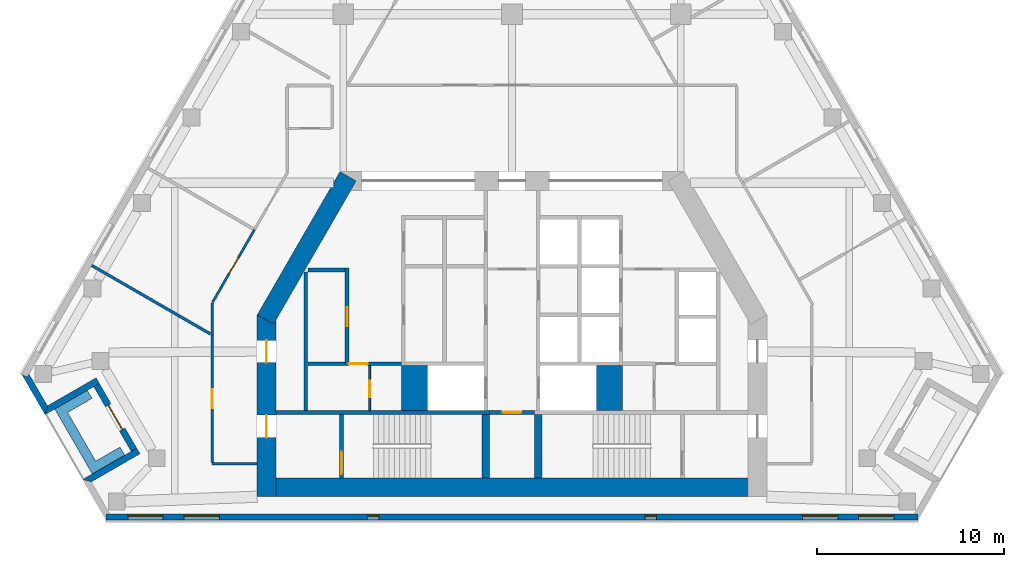
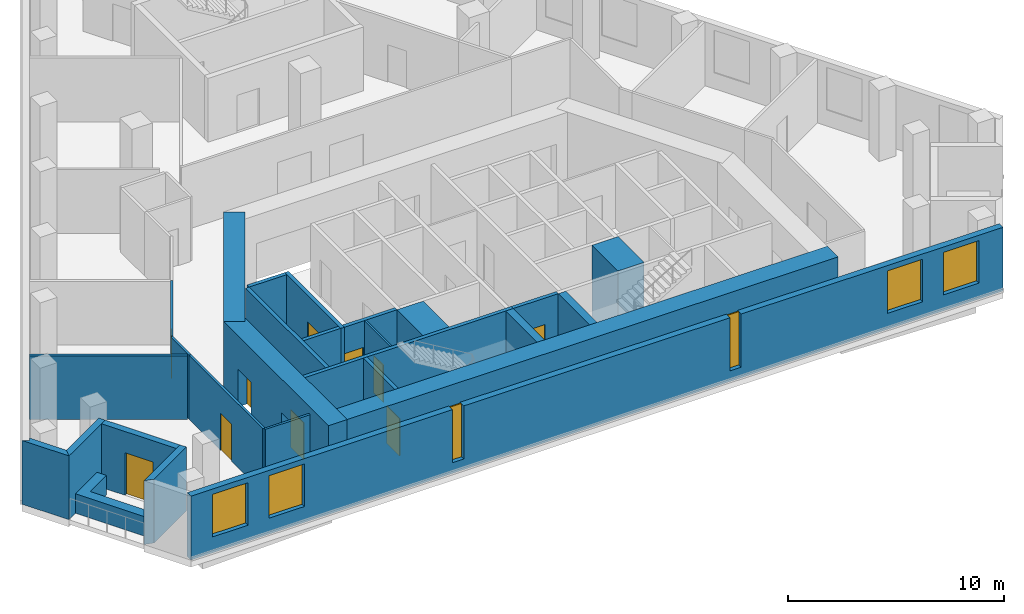
# One storey, part 2 of 7: 27 walls, 10 doors, 6 windows, 16 openings.
"""IFC4 building model written with IfcOpenShell, lengths in metres."""

from ifc_helpers import new_model, si_unit, direction, frame, frame_2d, origin, place, context, subcontext, project, spatial, polyline, rectangle, outline, extrude, material, layer, layer_set, type_object, element, fill, save


model = new_model("IFC4")

# Units and contexts
model_context = context("Model", 3, precision=1e-05, world=origin(), true_north=direction((0.0, 1.0)))
body_context = subcontext(model_context, "Body", "Model", "MODEL_VIEW")
ifc_project = project(units=[si_unit("LENGTHUNIT", "METRE"), si_unit("AREAUNIT", "SQUARE_METRE"), si_unit("VOLUMEUNIT", "CUBIC_METRE"), si_unit("PLANEANGLEUNIT", "RADIAN"), si_unit("MASSUNIT", "GRAM", prefix="KILO")], contexts=[model_context])

# Site, building, storey
site_placement = place(None, origin())
site = spatial("IfcSite", under=ifc_project, at=site_placement, CompositionType="ELEMENT")
building_placement = place(site_placement, origin())
building = spatial("IfcBuilding", under=site, at=building_placement, Name="Fogline Exchange Tower", CompositionType="ELEMENT")
storey_placement = place(building_placement, frame((0.0, 0.0, 251.5)))
storey = spatial("IfcBuildingStorey", under=building, at=storey_placement, Name="L57", CompositionType="ELEMENT", Elevation=251.5)

# Wall, opening, door
ifc_material_1 = material(Name="Blockwork partition", Category="masonry")
ifc_layer_1 = layer(ifc_material_1, 0.10009765625)
ifc_layer_set_1 = layer_set([ifc_layer_1], Name="CW10")
wall_type_1 = type_object("IfcWallType", Name="CW10", PredefinedType="PARTITIONING", material=ifc_layer_set_1)
wall_1_placement = place(storey_placement, frame((-7.60009765625, 5.85009765625, 0.0), z_axis=(0.0, 0.0, 1.0), x_axis=(0.0, 1.0, 0.0)))
wall_1 = element("IfcWall", 1, at=wall_1_placement, inside=storey, type_object=wall_type_1, Name="WC partition", PredefinedType="PARTITIONING", context=body_context, shape_type="SweptSolid", body=[
    extrude(rectangle(XDim=2.39990234375, YDim=0.10009765625, at=frame_2d((1.199951171875, 0.0))), origin(), (0.0, 0.0, 1.0), 3.60009765625),
])
opening_1_placement = place(wall_1_placement, frame((0.699951171875, 0.0, 0.0)))
opening_1 = element("IfcOpeningElement", 2, at=opening_1_placement, cuts=wall_1, Name="Opening T18-C009", PredefinedType="OPENING", context=body_context, shape_type="SweptSolid", body=[
    extrude(rectangle(XDim=0.89990234375, YDim=2.10009765625, at=frame_2d((0.449951171875, 1.050048828125))), frame((0.0, 0.06005859375, 0.0), z_axis=(0.0, -1.0, 0.0), x_axis=(1.0, 0.0, 0.0)), (0.0, 0.0, 1.0), 0.1201171875),
])
ifc_material_2 = material(Name="Steel and timber fire door", Category="steel")
door_type_1 = type_object("IfcDoorType", Name="D-CS1", OperationType="SINGLE_SWING_RIGHT", PredefinedType="DOOR", material=ifc_material_2)
door_1_placement = place(opening_1_placement, frame((0.89990234375, 0.0, 0.0), z_axis=(0.0, 0.0, 1.0), x_axis=(-1.0, 0.0, 0.0)))
door_1 = element("IfcDoor", 3, at=door_1_placement, inside=storey, type_object=door_type_1, Name="Door to Cleaner's Store", OperationType="SINGLE_SWING_RIGHT", OverallHeight=2.10009765625, OverallWidth=0.89990234375, PredefinedType="DOOR", context=body_context, shape_type="SweptSolid", body=[
    extrude(rectangle(XDim=0.89990234375, YDim=2.10009765625, at=frame_2d((0.449951171875, 1.050048828125))), frame((0.0, 0.02490234375, 0.0), z_axis=(0.0, -1.0, 0.0), x_axis=(1.0, 0.0, 0.0)), (0.0, 0.0, 1.0), 0.050048828125),
])
fill(opening_1, door_1)

# Walls
ifc_material_3 = material(Name="Concrete C60", Category="concrete")
ifc_layer_2 = layer(ifc_material_3, 1.39990234375)
ifc_layer_set_2 = layer_set([ifc_layer_2], Name="CW140")
wall_type_2 = type_object("IfcWallType", Name="CW140", PredefinedType="SOLIDWALL", material=ifc_layer_set_2)
for number, where, z_axis, x_axis, name in (
    (4, (-5.199951171875, 5.85009765625, -0.39990234375), (0.0, 0.0, 1.0), (0.0, 1.0, 0.0), "Lift shaft block wall"),
    (5, (5.199951171875, 5.85009765625, -0.39990234375), (0.0, 0.0, 1.0), (0.0, 1.0, 0.0), "Lift shaft block wall"),
):
    element("IfcWall", number, at=place(storey_placement, frame(where, z_axis=z_axis, x_axis=x_axis)), inside=storey, type_object=wall_type_2, Name=name, PredefinedType="SOLIDWALL", context=body_context, shape_type="SweptSolid", body=[
        extrude(rectangle(XDim=2.39990234375, YDim=1.39990234375, at=frame_2d((1.199951171875, 0.0))), origin(), (0.0, 0.0, 1.0), 4.0),
    ])
ifc_material_4 = material(Name="Concrete C40", Category="concrete")
ifc_layer_3 = layer(ifc_material_4, 0.199951171875)
ifc_layer_set_3 = layer_set([ifc_layer_3], Name="CW20")
wall_type_3 = type_object("IfcWallType", Name="CW20", PredefinedType="SOLIDWALL", material=ifc_layer_set_3)
wall_2_placement = place(storey_placement, frame((-11.0, 5.85009765625, 0.0), z_axis=(0.0, 0.0, 1.0), x_axis=(0.0, 1.0, 0.0)))
element("IfcWall", 6, at=wall_2_placement, inside=storey, type_object=wall_type_3, Name="Service room wall", PredefinedType="SOLIDWALL", context=body_context, shape_type="SweptSolid", body=[
    extrude(rectangle(XDim=7.39990234375, YDim=0.199951171875, at=frame_2d((3.699951171875, 0.0))), origin(), (0.0, 0.0, 1.0), 3.60009765625),
])

# Wall, opening, door
wall_3_placement = place(storey_placement, frame((-8.699951171875, 8.35009765625, 0.0), z_axis=(0.0, 0.0, 1.0), x_axis=(1.0, 0.0, 0.0)))
wall_3 = element("IfcWall", 7, at=wall_3_placement, inside=storey, type_object=wall_type_3, Name="WC wall", PredefinedType="SOLIDWALL", context=body_context, shape_type="SweptSolid", body=[
    extrude(rectangle(XDim=2.800048828125, YDim=0.199951171875, at=frame_2d((1.39990234375, 0.0))), origin(), (0.0, 0.0, 1.0), 3.60009765625),
])
opening_2_placement = place(wall_3_placement, origin())
opening_2 = element("IfcOpeningElement", 8, at=opening_2_placement, cuts=wall_3, Name="Opening T18-C008", PredefinedType="OPENING", context=body_context, shape_type="SweptSolid", body=[
    extrude(rectangle(XDim=1.0, YDim=2.10009765625, at=frame_2d((0.5, 1.050048828125))), frame((0.0, 0.10986328125, 0.0), z_axis=(0.0, -1.0, 0.0), x_axis=(1.0, 0.0, 0.0)), (0.0, 0.0, 1.0), 0.219970703125),
])
door_type_2 = type_object("IfcDoorType", Name="D-WC1", OperationType="SINGLE_SWING_LEFT", PredefinedType="DOOR", material=ifc_material_2)
door_2_placement = place(opening_2_placement, frame((1.0, 0.0, 0.0), z_axis=(0.0, 0.0, 1.0), x_axis=(-1.0, 0.0, 0.0)))
door_2 = element("IfcDoor", 9, at=door_2_placement, inside=storey, type_object=door_type_2, Name="Door to Men's WC", OperationType="SINGLE_SWING_LEFT", OverallHeight=2.10009765625, OverallWidth=1.0, PredefinedType="DOOR", context=body_context, shape_type="SweptSolid", body=[
    extrude(rectangle(XDim=1.0, YDim=2.10009765625, at=frame_2d((0.5, 1.050048828125))), frame((0.0, 0.02490234375, 0.0), z_axis=(0.0, -1.0, 0.0), x_axis=(1.0, 0.0, 0.0)), (0.0, 0.0, 1.0), 0.050048828125),
])
fill(opening_2, door_2)

# Wall
ifc_layer_4 = layer(ifc_material_4, 0.199951171875)
ifc_layer_set_4 = layer_set([ifc_layer_4], Name="CW20R")
wall_type_4 = type_object("IfcWallType", Name="CW20R", PredefinedType="SOLIDWALL", material=ifc_layer_set_4)
wall_4_placement = place(storey_placement, frame((-12.60009765625, 5.75, -0.39990234375), z_axis=(0.0, 0.0, 1.0), x_axis=(1.0, 0.0, 0.0)))
element("IfcWall", 10, at=wall_4_placement, inside=storey, type_object=wall_type_4, Name="Stair enclosure wall", PredefinedType="SOLIDWALL", context=body_context, shape_type="SweptSolid", body=[
    extrude(rectangle(XDim=11.400146484375, YDim=0.199951171875, at=frame_2d((5.7001953125, 0.0))), origin(), (0.0, 0.0, 1.0), 4.0),
])

# Wall, opening, door
wall_5_placement = place(storey_placement, frame((-1.199951171875, 5.75, -0.39990234375), z_axis=(0.0, 0.0, 1.0), x_axis=(1.0, 0.0, 0.0)))
wall_5 = element("IfcWall", 11, at=wall_5_placement, inside=storey, type_object=wall_type_4, Name="Stair enclosure wall", PredefinedType="SOLIDWALL", context=body_context, shape_type="SweptSolid", body=[
    extrude(rectangle(XDim=2.39990234375, YDim=0.199951171875, at=frame_2d((1.199951171875, 0.0))), origin(), (0.0, 0.0, 1.0), 4.0),
])
opening_3_placement = place(wall_5_placement, frame((0.699951171875, 0.0, 0.39990234375)))
opening_3 = element("IfcOpeningElement", 12, at=opening_3_placement, cuts=wall_5, Name="Opening T18-C007", PredefinedType="OPENING", context=body_context, shape_type="SweptSolid", body=[
    extrude(rectangle(XDim=1.0, YDim=2.10009765625, at=frame_2d((0.5, 1.050048828125))), frame((0.0, 0.10986328125, 0.0), z_axis=(0.0, -1.0, 0.0), x_axis=(1.0, 0.0, 0.0)), (0.0, 0.0, 1.0), 0.219970703125),
])
door_type_3 = type_object("IfcDoorType", Name="D-RM1", OperationType="SINGLE_SWING_LEFT", PredefinedType="DOOR", material=ifc_material_2)
door_3_placement = place(opening_3_placement, frame((1.0, 0.0, 0.0), z_axis=(0.0, 0.0, 1.0), x_axis=(-1.0, 0.0, 0.0)))
door_3 = element("IfcDoor", 13, at=door_3_placement, inside=storey, type_object=door_type_3, Name="Door to Cable Store", OperationType="SINGLE_SWING_RIGHT", OverallHeight=2.10009765625, OverallWidth=1.0, PredefinedType="DOOR", context=body_context, shape_type="SweptSolid", body=[
    extrude(rectangle(XDim=1.0, YDim=2.10009765625, at=frame_2d((0.5, 1.050048828125))), frame((0.0, 0.02490234375, 0.0), z_axis=(0.0, -1.0, 0.0), x_axis=(1.0, 0.0, 0.0)), (0.0, 0.0, 1.0), 0.050048828125),
])
fill(opening_3, door_3)

wall_6_placement = place(storey_placement, frame((-9.10009765625, 2.25, -0.39990234375), z_axis=(0.0, 0.0, 1.0), x_axis=(0.0, 1.0, 0.0)))
wall_6 = element("IfcWall", 14, at=wall_6_placement, inside=storey, type_object=wall_type_4, Name="Stair enclosure wall", PredefinedType="SOLIDWALL", context=body_context, shape_type="SweptSolid", body=[
    extrude(rectangle(XDim=3.39990234375, YDim=0.199951171875, at=frame_2d((1.699951171875, 0.0))), origin(), (0.0, 0.0, 1.0), 4.0),
])
opening_4_placement = place(wall_6_placement, frame((0.199951171875, 0.0, 0.39990234375)))
opening_4 = element("IfcOpeningElement", 15, at=opening_4_placement, cuts=wall_6, Name="Opening T18-C011", PredefinedType="OPENING", context=body_context, shape_type="SweptSolid", body=[
    extrude(rectangle(XDim=1.199951171875, YDim=2.10009765625, at=frame_2d((0.60009765625, 1.050048828125))), frame((0.0, 0.10986328125, 0.0), z_axis=(0.0, -1.0, 0.0), x_axis=(1.0, 0.0, 0.0)), (0.0, 0.0, 1.0), 0.219970703125),
])
door_type_4 = type_object("IfcDoorType", Name="D-ST1", OperationType="SINGLE_SWING_LEFT", PredefinedType="DOOR", material=ifc_material_2)
door_4_placement = place(opening_4_placement, frame((1.199951171875, 0.0, 0.0), z_axis=(0.0, 0.0, 1.0), x_axis=(-1.0, 0.0, 0.0)))
door_4 = element("IfcDoor", 16, at=door_4_placement, inside=storey, type_object=door_type_4, Name="Stair door ST1", OperationType="SINGLE_SWING_RIGHT", OverallHeight=2.10009765625, OverallWidth=1.199951171875, PredefinedType="DOOR", context=body_context, shape_type="SweptSolid", body=[
    extrude(rectangle(XDim=1.199951171875, YDim=2.10009765625, at=frame_2d((0.60009765625, 1.050048828125))), frame((0.0, 0.02490234375, 0.0), z_axis=(0.0, -1.0, 0.0), x_axis=(1.0, 0.0, 0.0)), (0.0, 0.0, 1.0), 0.050048828125),
])
fill(opening_4, door_4)

ifc_layer_5 = layer(ifc_material_4, 0.199951171875)
ifc_layer_set_5 = layer_set([ifc_layer_5], Name="CW20S")
wall_type_5 = type_object("IfcWallType", Name="CW20S", PredefinedType="SOLIDWALL", material=ifc_layer_set_5)
wall_7_placement = place(storey_placement, frame((-8.800048828125, 8.25, -0.39990234375), z_axis=(0.0, 0.0, 1.0), x_axis=(0.0, 1.0, 0.0)))
wall_7 = element("IfcWall", 17, at=wall_7_placement, inside=storey, type_object=wall_type_5, Name="Lift shaft wall", PredefinedType="SOLIDWALL", context=body_context, shape_type="SweptSolid", body=[
    extrude(rectangle(XDim=5.199951171875, YDim=0.199951171875, at=frame_2d((2.60009765625, 0.0))), origin(), (0.0, 0.0, 1.0), 4.0),
])
opening_5_placement = place(wall_7_placement, frame((2.10009765625, 0.0, 0.39990234375)))
opening_5 = element("IfcOpeningElement", 18, at=opening_5_placement, cuts=wall_7, Name="Opening T18-C001", PredefinedType="OPENING", context=body_context, shape_type="SweptSolid", body=[
    extrude(rectangle(XDim=1.0, YDim=2.10009765625, at=frame_2d((0.5, 1.050048828125))), frame((0.0, 0.10986328125, 0.0), z_axis=(0.0, -1.0, 0.0), x_axis=(1.0, 0.0, 0.0)), (0.0, 0.0, 1.0), 0.219970703125),
])
door_5_placement = place(opening_5_placement, origin())
door_5 = element("IfcDoor", 19, at=door_5_placement, inside=storey, type_object=door_type_3, Name="Door to Storage Room", OperationType="SINGLE_SWING_RIGHT", OverallHeight=2.10009765625, OverallWidth=1.0, PredefinedType="DOOR", context=body_context, shape_type="SweptSolid", body=[
    extrude(rectangle(XDim=1.0, YDim=2.10009765625, at=frame_2d((0.5, 1.050048828125))), frame((0.0, 0.02490234375, 0.0), z_axis=(0.0, -1.0, 0.0), x_axis=(1.0, 0.0, 0.0)), (0.0, 0.0, 1.0), 0.050048828125),
])
fill(opening_5, door_5)

# Walls
for number, where, z_axis, x_axis, name in (
    (20, (-10.89990234375, 8.35009765625, -0.39990234375), (0.0, 0.0, 1.0), (1.0, 0.0, 0.0), "Lift shaft wall"),
    (21, (-10.89990234375, 13.35009765625, -0.39990234375), (0.0, 0.0, 1.0), (1.0, 0.0, 0.0), "Lift shaft wall"),
):
    element("IfcWall", number, at=place(storey_placement, frame(where, z_axis=z_axis, x_axis=x_axis)), inside=storey, type_object=wall_type_5, Name=name, PredefinedType="SOLIDWALL", context=body_context, shape_type="SweptSolid", body=[
        extrude(rectangle(XDim=2.0, YDim=0.199951171875, at=frame_2d((1.0, 0.0))), origin(), (0.0, 0.0, 1.0), 4.0),
    ])
ifc_layer_6 = layer(ifc_material_4, 0.39990234375)
ifc_layer_set_6 = layer_set([ifc_layer_6], Name="CW40R")
wall_type_6 = type_object("IfcWallType", Name="CW40R", PredefinedType="SOLIDWALL", material=ifc_layer_set_6)
for number, where, z_axis, x_axis, name in (
    (22, (-1.39990234375, 2.25, -0.39990234375), (0.0, 0.0, 1.0), (0.0, 1.0, 0.0), "Stair and lift shaft wall"),
    (23, (1.39990234375, 2.25, -0.39990234375), (0.0, 0.0, 1.0), (0.0, 1.0, 0.0), "Stair and lift shaft wall"),
):
    element("IfcWall", number, at=place(storey_placement, frame(where, z_axis=z_axis, x_axis=x_axis)), inside=storey, type_object=wall_type_6, Name=name, PredefinedType="SOLIDWALL", context=body_context, shape_type="SweptSolid", body=[
        extrude(rectangle(XDim=3.39990234375, YDim=0.39990234375, at=frame_2d((1.699951171875, 0.0))), origin(), (0.0, 0.0, 1.0), 4.0),
    ])
ifc_material_5 = material(Name="Brick masonry", Category="masonry")
ifc_layer_7 = layer(ifc_material_5, 0.340087890625)
ifc_layer_set_7 = layer_set([ifc_layer_7], Name="FW1")
wall_type_7 = type_object("IfcWallType", Name="FW1", PredefinedType="SOLIDWALL", material=ifc_layer_set_7)
wall_8_placement = place(storey_placement, origin())
element("IfcWall", 24, at=wall_8_placement, inside=storey, type_object=wall_type_7, Name="Brick wall L57 SW-c1", PredefinedType="SOLIDWALL", context=body_context, shape_type="SweptSolid", body=[
    extrude(outline(polyline([(-24.91943359375, 5.6279296875), (-26.17041015625, 7.794921875), (-26.169921875, 7.79541015625), (-25.875244140625, 7.625), (-25.77685546875, 7.79541015625), (-24.794189453125, 6.09375), (-24.9189453125, 5.6279296875), (-24.91943359375, 5.6279296875)])), origin(), (0.0, 0.0, 1.0), 3.60009765625),
])
wall_9_placement = place(storey_placement, origin())
element("IfcWall", 25, at=wall_9_placement, inside=storey, type_object=wall_type_7, Name="Brick wall L57 SW-s1", PredefinedType="SOLIDWALL", context=body_context, shape_type="SweptSolid", body=[
    extrude(outline(polyline([(-22.196533203125, 7.594482421875), (-22.026123046875, 7.298828125), (-22.321044921875, 7.128662109375), (-24.919921875, 5.628173828125), (-24.920166015625, 5.62841796875), (-24.79541015625, 6.093994140625), (-22.196533203125, 7.594482421875)])), origin(), (0.0, 0.0, 1.0), 3.60009765625),
])

# Wall, opening, door
wall_10_placement = place(storey_placement, frame((-22.174072265625, 7.214111328125, 0.0), z_axis=(0.0, 0.0, 1.0), x_axis=(0.49999894854, -0.866026010844, 0.0)))
wall_10 = element("IfcWall", 26, at=wall_10_placement, inside=storey, type_object=wall_type_7, Name="Brick wall L57 SW-bk", PredefinedType="SOLIDWALL", context=body_context, shape_type="SweptSolid", body=[
    extrude(rectangle(XDim=4.0, YDim=0.340087890625, at=frame_2d((2.0, 0.0))), origin(), (0.0, 0.0, 1.0), 3.60009765625),
])
opening_6_placement = place(wall_10_placement, frame((1.25, 0.0, 0.0)))
opening_6 = element("IfcOpeningElement", 27, at=opening_6_placement, cuts=wall_10, Name="Opening T18-E021", PredefinedType="OPENING", context=body_context, shape_type="SweptSolid", body=[
    extrude(rectangle(XDim=1.5, YDim=2.39990234375, at=frame_2d((0.75, 1.199951171875))), frame((0.0, 0.18017578125, 0.0), z_axis=(0.0, -1.0, 0.0), x_axis=(1.0, 0.0, 0.0)), (0.0, 0.0, 1.0), 0.360107421875),
])
ifc_material_6 = material(Name="Aluminium and glass", Category="aluminium")
door_type_5 = type_object("IfcDoorType", Name="ED4", OperationType="SINGLE_SWING_LEFT", PredefinedType="DOOR", material=ifc_material_6)
door_6_placement = place(opening_6_placement, frame((1.5, 0.0, 0.0), z_axis=(0.0, 0.0, 1.0), x_axis=(-1.0, 0.0, 0.0)))
door_6 = element("IfcDoor", 28, at=door_6_placement, inside=storey, type_object=door_type_5, Name="Balcony door L57 SW", OperationType="DOUBLE_DOOR_SINGLE_SWING", OverallHeight=2.39990234375, OverallWidth=1.5, PredefinedType="DOOR", context=body_context, shape_type="SweptSolid", body=[
    extrude(rectangle(XDim=1.5, YDim=2.39990234375, at=frame_2d((0.75, 1.199951171875))), frame((0.0, 0.02490234375, 0.0), z_axis=(0.0, -1.0, 0.0), x_axis=(1.0, 0.0, 0.0)), (0.0, 0.0, 1.0), 0.050048828125),
])
fill(opening_6, door_6)

# Wall
wall_11_placement = place(storey_placement, origin())
element("IfcWall", 29, at=wall_11_placement, inside=storey, type_object=wall_type_7, Name="Brick wall L57 SW-s2", PredefinedType="SOLIDWALL", context=body_context, shape_type="SweptSolid", body=[
    extrude(outline(polyline([(-22.920654296875, 2.1650390625), (-20.321533203125, 3.66552734375), (-20.026611328125, 3.8359375), (-19.85595703125, 3.540283203125), (-22.454833984375, 2.0400390625), (-22.92041015625, 2.164794921875), (-22.920654296875, 2.1650390625)])), origin(), (0.0, 0.0, 1.0), 3.60009765625),
])

# Wall, openings, windows
wall_12_placement = place(storey_placement, frame((-21.66943359375, 0.169921875, 0.0), z_axis=(0.0, 0.0, 1.0), x_axis=(1.0, 0.0, 0.0)))
wall_12 = element("IfcWall", 30, at=wall_12_placement, inside=storey, type_object=wall_type_7, Name="Brick wall L57 S", PredefinedType="SOLIDWALL", context=body_context, shape_type="SweptSolid", body=[
    extrude(rectangle(XDim=43.3388671875, YDim=0.340087890625, at=frame_2d((21.66943359375, 0.0))), origin(), (0.0, 0.0, 1.0), 3.60009765625),
])
opening_7_placement = place(wall_12_placement, frame((1.16943359375, 0.0, 0.89990234375)))
opening_7 = element("IfcOpeningElement", 31, at=opening_7_placement, cuts=wall_12, Name="Opening W1", PredefinedType="OPENING", context=body_context, shape_type="SweptSolid", body=[
    extrude(rectangle(XDim=1.885009765625, YDim=2.39990234375, at=frame_2d((0.9423828125, 1.199951171875))), frame((0.0, 0.18017578125, 0.0), z_axis=(0.0, -1.0, 0.0), x_axis=(1.0, 0.0, 0.0)), (0.0, 0.0, 1.0), 0.360107421875),
])
opening_8_placement = place(wall_12_placement, frame((4.16943359375, 0.0, 0.89990234375)))
opening_8 = element("IfcOpeningElement", 32, at=opening_8_placement, cuts=wall_12, Name="Opening W1", PredefinedType="OPENING", context=body_context, shape_type="SweptSolid", body=[
    extrude(rectangle(XDim=1.885009765625, YDim=2.39990234375, at=frame_2d((0.9423828125, 1.199951171875))), frame((0.0, 0.18017578125, 0.0), z_axis=(0.0, -1.0, 0.0), x_axis=(1.0, 0.0, 0.0)), (0.0, 0.0, 1.0), 0.360107421875),
])
opening_9_placement = place(wall_12_placement, frame((37.16943359375, 0.0, 0.89990234375)))
opening_9 = element("IfcOpeningElement", 33, at=opening_9_placement, cuts=wall_12, Name="Opening W1", PredefinedType="OPENING", context=body_context, shape_type="SweptSolid", body=[
    extrude(rectangle(XDim=1.885009765625, YDim=2.39990234375, at=frame_2d((0.9423828125, 1.199951171875))), frame((0.0, 0.18017578125, 0.0), z_axis=(0.0, -1.0, 0.0), x_axis=(1.0, 0.0, 0.0)), (0.0, 0.0, 1.0), 0.360107421875),
])
opening_10_placement = place(wall_12_placement, frame((40.16943359375, 0.0, 0.89990234375)))
opening_10 = element("IfcOpeningElement", 34, at=opening_10_placement, cuts=wall_12, Name="Opening W1", PredefinedType="OPENING", context=body_context, shape_type="SweptSolid", body=[
    extrude(rectangle(XDim=1.885009765625, YDim=2.39990234375, at=frame_2d((0.9423828125, 1.199951171875))), frame((0.0, 0.18017578125, 0.0), z_axis=(0.0, -1.0, 0.0), x_axis=(1.0, 0.0, 0.0)), (0.0, 0.0, 1.0), 0.360107421875),
])
opening_11_placement = place(wall_12_placement, frame((13.96923828125, 0.0, 0.60009765625)))
opening_11 = element("IfcOpeningElement", 35, at=opening_11_placement, cuts=wall_12, Name="Opening W5", PredefinedType="OPENING", context=body_context, shape_type="SweptSolid", body=[
    extrude(rectangle(XDim=0.60009765625, YDim=3.0, at=frame_2d((0.300048828125, 1.5))), frame((0.0, 0.18017578125, 0.0), z_axis=(0.0, -1.0, 0.0), x_axis=(1.0, 0.0, 0.0)), (0.0, 0.0, 1.0), 0.360107421875),
])
opening_12_placement = place(wall_12_placement, frame((28.769287109375, 0.0, 0.60009765625)))
opening_12 = element("IfcOpeningElement", 36, at=opening_12_placement, cuts=wall_12, Name="Opening W5", PredefinedType="OPENING", context=body_context, shape_type="SweptSolid", body=[
    extrude(rectangle(XDim=0.60009765625, YDim=3.0, at=frame_2d((0.300048828125, 1.5))), frame((0.0, 0.18017578125, 0.0), z_axis=(0.0, -1.0, 0.0), x_axis=(1.0, 0.0, 0.0)), (0.0, 0.0, 1.0), 0.360107421875),
])
window_type_1 = type_object("IfcWindowType", Name="W1", PartitioningType="SINGLE_PANEL", PredefinedType="WINDOW", material=ifc_material_6)
window_1_placement = place(opening_7_placement, origin())
window_1 = element("IfcWindow", 37, at=window_1_placement, inside=storey, type_object=window_type_1, Name="W1 W1", OverallHeight=2.39990234375, OverallWidth=1.885009765625, PartitioningType="SINGLE_PANEL", PredefinedType="WINDOW", context=body_context, shape_type="SweptSolid", body=[
    extrude(rectangle(XDim=1.885009765625, YDim=2.39990234375, at=frame_2d((0.9423828125, 1.199951171875))), frame((0.0, 0.110107421875, 0.0), z_axis=(0.0, -1.0, 0.0), x_axis=(1.0, 0.0, 0.0)), (0.0, 0.0, 1.0), 0.06005859375),
])
fill(opening_7, window_1)
window_2_placement = place(opening_8_placement, origin())
window_2 = element("IfcWindow", 38, at=window_2_placement, inside=storey, type_object=window_type_1, Name="W1 W1", OverallHeight=2.39990234375, OverallWidth=1.885009765625, PartitioningType="SINGLE_PANEL", PredefinedType="WINDOW", context=body_context, shape_type="SweptSolid", body=[
    extrude(rectangle(XDim=1.885009765625, YDim=2.39990234375, at=frame_2d((0.9423828125, 1.199951171875))), frame((0.0, 0.110107421875, 0.0), z_axis=(0.0, -1.0, 0.0), x_axis=(1.0, 0.0, 0.0)), (0.0, 0.0, 1.0), 0.06005859375),
])
fill(opening_8, window_2)
window_3_placement = place(opening_9_placement, origin())
window_3 = element("IfcWindow", 39, at=window_3_placement, inside=storey, type_object=window_type_1, Name="W1 W1", OverallHeight=2.39990234375, OverallWidth=1.885009765625, PartitioningType="SINGLE_PANEL", PredefinedType="WINDOW", context=body_context, shape_type="SweptSolid", body=[
    extrude(rectangle(XDim=1.885009765625, YDim=2.39990234375, at=frame_2d((0.9423828125, 1.199951171875))), frame((0.0, 0.110107421875, 0.0), z_axis=(0.0, -1.0, 0.0), x_axis=(1.0, 0.0, 0.0)), (0.0, 0.0, 1.0), 0.06005859375),
])
fill(opening_9, window_3)
window_4_placement = place(opening_10_placement, origin())
window_4 = element("IfcWindow", 40, at=window_4_placement, inside=storey, type_object=window_type_1, Name="W1 W1", OverallHeight=2.39990234375, OverallWidth=1.885009765625, PartitioningType="SINGLE_PANEL", PredefinedType="WINDOW", context=body_context, shape_type="SweptSolid", body=[
    extrude(rectangle(XDim=1.885009765625, YDim=2.39990234375, at=frame_2d((0.9423828125, 1.199951171875))), frame((0.0, 0.110107421875, 0.0), z_axis=(0.0, -1.0, 0.0), x_axis=(1.0, 0.0, 0.0)), (0.0, 0.0, 1.0), 0.06005859375),
])
fill(opening_10, window_4)
window_type_2 = type_object("IfcWindowType", Name="W5", PartitioningType="SINGLE_PANEL", PredefinedType="WINDOW", material=ifc_material_6)
window_5_placement = place(opening_11_placement, origin())
window_5 = element("IfcWindow", 41, at=window_5_placement, inside=storey, type_object=window_type_2, Name="W5 W5", OverallHeight=3.0, OverallWidth=0.60009765625, PartitioningType="SINGLE_PANEL", PredefinedType="WINDOW", context=body_context, shape_type="SweptSolid", body=[
    extrude(rectangle(XDim=0.60009765625, YDim=3.0, at=frame_2d((0.300048828125, 1.5))), frame((0.0, 0.110107421875, 0.0), z_axis=(0.0, -1.0, 0.0), x_axis=(1.0, 0.0, 0.0)), (0.0, 0.0, 1.0), 0.06005859375),
])
fill(opening_11, window_5)
window_6_placement = place(opening_12_placement, origin())
window_6 = element("IfcWindow", 42, at=window_6_placement, inside=storey, type_object=window_type_2, Name="W5 W5", OverallHeight=3.0, OverallWidth=0.60009765625, PartitioningType="SINGLE_PANEL", PredefinedType="WINDOW", context=body_context, shape_type="SweptSolid", body=[
    extrude(rectangle(XDim=0.60009765625, YDim=3.0, at=frame_2d((0.300048828125, 1.5))), frame((0.0, 0.110107421875, 0.0), z_axis=(0.0, -1.0, 0.0), x_axis=(1.0, 0.0, 0.0)), (0.0, 0.0, 1.0), 0.06005859375),
])
fill(opening_12, window_6)

# Walls
ifc_material_7 = material(Name="Concrete C30", Category="concrete")
ifc_layer_8 = layer(ifc_material_7, 0.199951171875)
ifc_layer_set_8 = layer_set([ifc_layer_8], Name="PL1")
wall_type_8 = type_object("IfcWallType", Name="PL1", PredefinedType="USERDEFINED", material=ifc_layer_set_8)
wall_13_placement = place(storey_placement, origin())
element("IfcWall", 43, at=wall_13_placement, inside=storey, type_object=wall_type_8, Name="PLANTER balcony L57 SW", ObjectType="PLANTER", PredefinedType="USERDEFINED", context=body_context, shape_type="SweptSolid", body=[
    extrude(outline(polyline([(-20.917724609375, 3.898193359375), (-22.216796875, 3.148193359375), (-23.716796875, 5.74609375), (-22.417724609375, 6.49609375), (-22.667724609375, 6.92919921875), (-24.399658203125, 5.92919921875), (-24.149658203125, 5.49609375), (-22.399658203125, 2.465087890625), (-21.966796875, 2.715087890625), (-21.966796875, 2.715087890625), (-20.667724609375, 3.465087890625), (-20.917724609375, 3.898193359375)])), origin(), (0.0, 0.0, 1.0), 1.10009765625),
])
ifc_material_8 = material(Name="Plasterboard corridor partition with mineral wool, 2 layers each side")
ifc_layer_9 = layer(ifc_material_8, 0.125)
ifc_layer_set_9 = layer_set([ifc_layer_9], Name="PW2")
wall_type_9 = type_object("IfcWallType", Name="PW2", PredefinedType="PARTITIONING", material=ifc_layer_set_9)
wall_14_placement = place(storey_placement, frame((-16.0, 9.88134765625, 0.0), z_axis=(0.0, 0.0, 1.0), x_axis=(0.0, 1.0, 0.0)))
element("IfcWall", 44, at=wall_14_placement, inside=storey, type_object=wall_type_9, Name="wall-L57-W013", PredefinedType="PARTITIONING", context=body_context, shape_type="SweptSolid", body=[
    extrude(rectangle(XDim=1.70703125, YDim=0.125, at=frame_2d((0.853515625, 0.0))), origin(), (0.0, 0.0, 1.0), 3.60009765625),
])

# Wall, opening, door
wall_15_placement = place(storey_placement, frame((-15.984619140625, 11.615234375, 0.0), z_axis=(0.0, 0.0, 1.0), x_axis=(0.499992261645, 0.86602987148, 0.0)))
wall_15 = element("IfcWall", 45, at=wall_15_placement, inside=storey, type_object=wall_type_9, Name="wall-L57-W014", PredefinedType="PARTITIONING", context=body_context, shape_type="SweptSolid", body=[
    extrude(rectangle(XDim=4.49072265625, YDim=0.125, at=frame_2d((2.245361328125, 0.0))), origin(), (0.0, 0.0, 1.0), 3.60009765625),
])
opening_13_placement = place(wall_15_placement, frame((1.745361328125, 0.0, 0.0)))
opening_13 = element("IfcOpeningElement", 46, at=opening_13_placement, cuts=wall_15, Name="Opening T18-D006", PredefinedType="OPENING", context=body_context, shape_type="SweptSolid", body=[
    extrude(rectangle(XDim=1.0, YDim=2.10009765625, at=frame_2d((0.5, 1.050048828125))), frame((0.0, 0.072509765625, 0.0), z_axis=(0.0, -1.0, 0.0), x_axis=(1.0, 0.0, 0.0)), (0.0, 0.0, 1.0), 0.14501953125),
])
ifc_material_9 = material(Name="Fire-rated timber door leaf with steel frame", Category="steel")
door_type_6 = type_object("IfcDoorType", Name="D3", OperationType="SINGLE_SWING_LEFT", PredefinedType="DOOR", material=ifc_material_9)
door_7_placement = place(opening_13_placement, origin())
door_7 = element("IfcDoor", 47, at=door_7_placement, inside=storey, type_object=door_type_6, Name="door-L57-D006", OperationType="SINGLE_SWING_LEFT", OverallHeight=2.10009765625, OverallWidth=1.0, PredefinedType="DOOR", context=body_context, shape_type="SweptSolid", body=[
    extrude(rectangle(XDim=1.0, YDim=2.10009765625, at=frame_2d((0.5, 1.050048828125))), frame((0.0, 0.02490234375, 0.0), z_axis=(0.0, -1.0, 0.0), x_axis=(1.0, 0.0, 0.0)), (0.0, 0.0, 1.0), 0.050048828125),
])
fill(opening_13, door_7)

# Wall
wall_16_placement = place(storey_placement, frame((-13.60009765625, 3.0, 0.0), z_axis=(0.0, 0.0, 1.0), x_axis=(-1.0, 0.0, 0.0)))
element("IfcWall", 48, at=wall_16_placement, inside=storey, type_object=wall_type_9, Name="wall-L57-W015", PredefinedType="PARTITIONING", context=body_context, shape_type="SweptSolid", body=[
    extrude(rectangle(XDim=2.39990234375, YDim=0.125, at=frame_2d((1.199951171875, 0.0))), origin(), (0.0, 0.0, 1.0), 3.60009765625),
])

# Wall, opening, door
wall_17_placement = place(storey_placement, frame((-16.0, 3.0625, 0.0), z_axis=(0.0, 0.0, 1.0), x_axis=(0.0, 1.0, 0.0)))
wall_17 = element("IfcWall", 49, at=wall_17_placement, inside=storey, type_object=wall_type_9, Name="wall-L57-W016", PredefinedType="PARTITIONING", context=body_context, shape_type="SweptSolid", body=[
    extrude(rectangle(XDim=6.81884765625, YDim=0.125, at=frame_2d((3.409423828125, 0.0))), origin(), (0.0, 0.0, 1.0), 3.60009765625),
])
opening_14_placement = place(wall_17_placement, frame((2.909423828125, 0.0, 0.0)))
opening_14 = element("IfcOpeningElement", 50, at=opening_14_placement, cuts=wall_17, Name="Opening T18-D007", PredefinedType="OPENING", context=body_context, shape_type="SweptSolid", body=[
    extrude(rectangle(XDim=1.0, YDim=2.10009765625, at=frame_2d((0.5, 1.050048828125))), frame((0.0, 0.072509765625, 0.0), z_axis=(0.0, -1.0, 0.0), x_axis=(1.0, 0.0, 0.0)), (0.0, 0.0, 1.0), 0.14501953125),
])
door_8_placement = place(opening_14_placement, origin())
door_8 = element("IfcDoor", 51, at=door_8_placement, inside=storey, type_object=door_type_6, Name="door-L57-D007", OperationType="SINGLE_SWING_LEFT", OverallHeight=2.10009765625, OverallWidth=1.0, PredefinedType="DOOR", context=body_context, shape_type="SweptSolid", body=[
    extrude(rectangle(XDim=1.0, YDim=2.10009765625, at=frame_2d((0.5, 1.050048828125))), frame((0.0, 0.02490234375, 0.0), z_axis=(0.0, -1.0, 0.0), x_axis=(1.0, 0.0, 0.0)), (0.0, 0.0, 1.0), 0.050048828125),
])
fill(opening_14, door_8)

# Walls
ifc_material_10 = material(Name="Plasterboard demising partition with mineral wool and acoustic board")
ifc_layer_10 = layer(ifc_material_10, 0.14990234375)
ifc_layer_set_10 = layer_set([ifc_layer_10], Name="PW3")
wall_type_10 = type_object("IfcWallType", Name="PW3", PredefinedType="PARTITIONING", material=ifc_layer_set_10)
wall_18_placement = place(storey_placement, frame((-16.100341796875, 9.939453125, 0.0), z_axis=(0.0, 0.0, 1.0), x_axis=(-0.866032584144, 0.499987563046, 0.0)))
element("IfcWall", 52, at=wall_18_placement, inside=storey, type_object=wall_type_10, Name="wall-L57-W032", PredefinedType="PARTITIONING", context=body_context, shape_type="SweptSolid", body=[
    extrude(rectangle(XDim=7.307373046875, YDim=0.14990234375, at=frame_2d((3.65380859375, 0.0))), origin(), (0.0, 0.0, 1.0), 3.60009765625),
])
ifc_layer_11 = layer(ifc_material_3, 1.0)
ifc_layer_set_11 = layer_set([ifc_layer_11], Name="SW03")
wall_type_11 = type_object("IfcWallType", Name="SW03", PredefinedType="SHEAR", material=ifc_layer_set_11)
wall_19_placement = place(storey_placement, frame((-13.60009765625, 1.75, 0.0), z_axis=(0.0, 0.0, 1.0), x_axis=(1.0, 0.0, 0.0)))
element("IfcWall", 53, at=wall_19_placement, inside=storey, type_object=wall_type_11, Name="L57-W901", PredefinedType="SHEAR", context=body_context, shape_type="SweptSolid", body=[
    extrude(rectangle(XDim=27.2001953125, YDim=1.0, at=frame_2d((13.60009765625, 0.0))), origin(), (0.0, 0.0, 1.0), 4.0),
])
wall_20_placement = place(storey_placement, frame((-8.74755859375, 18.35009765625, 0.0), z_axis=(0.0, 0.0, 1.0), x_axis=(-0.499995021168, -0.866028278295, 0.0)))
element("IfcWall", 54, at=wall_20_placement, inside=storey, type_object=wall_type_11, Name="L57-W905", PredefinedType="SHEAR", context=body_context, shape_type="SweptSolid", body=[
    extrude(rectangle(XDim=8.8388671875, YDim=1.0, at=frame_2d((4.41943359375, 0.0))), origin(), (0.0, 0.0, 1.0), 4.0),
])

# Wall, openings, doors
wall_21_placement = place(storey_placement, frame((-13.10009765625, 10.9453125, 0.0), z_axis=(0.0, 0.0, 1.0), x_axis=(0.0, -1.0, 0.0)))
wall_21 = element("IfcWall", 55, at=wall_21_placement, inside=storey, type_object=wall_type_11, Name="L57-W906", PredefinedType="SHEAR", context=body_context, shape_type="SweptSolid", body=[
    extrude(rectangle(XDim=9.6953125, YDim=1.0, at=frame_2d((4.84765625, 0.0))), origin(), (0.0, 0.0, 1.0), 4.0),
])
opening_15_placement = place(wall_21_placement, frame((5.345458984375, 0.0, 0.0)))
opening_15 = element("IfcOpeningElement", 56, at=opening_15_placement, cuts=wall_21, Name="Opening T18-C010", PredefinedType="OPENING", context=body_context, shape_type="SweptSolid", body=[
    extrude(rectangle(XDim=1.199951171875, YDim=2.10009765625, at=frame_2d((0.60009765625, 1.050048828125))), frame((0.0, 0.510009765625, 0.0), z_axis=(0.0, -1.0, 0.0), x_axis=(1.0, 0.0, 0.0)), (0.0, 0.0, 1.0), 1.02001953125),
])
opening_16_placement = place(wall_21_placement, frame((1.345458984375, 0.0, 0.0)))
opening_16 = element("IfcOpeningElement", 57, at=opening_16_placement, cuts=wall_21, Name="Opening T18-C012", PredefinedType="OPENING", context=body_context, shape_type="SweptSolid", body=[
    extrude(rectangle(XDim=1.199951171875, YDim=2.10009765625, at=frame_2d((0.60009765625, 1.050048828125))), frame((0.0, 0.510009765625, 0.0), z_axis=(0.0, -1.0, 0.0), x_axis=(1.0, 0.0, 0.0)), (0.0, 0.0, 1.0), 1.02001953125),
])
door_type_7 = type_object("IfcDoorType", Name="D-FR1", OperationType="SINGLE_SWING_RIGHT", PredefinedType="DOOR", material=ifc_material_2)
door_9_placement = place(opening_15_placement, origin())
door_9 = element("IfcDoor", 58, at=door_9_placement, inside=storey, type_object=door_type_7, Name="Front room door ST1", OperationType="SINGLE_SWING_LEFT", OverallHeight=2.10009765625, OverallWidth=1.199951171875, PredefinedType="DOOR", context=body_context, shape_type="SweptSolid", body=[
    extrude(rectangle(XDim=1.199951171875, YDim=2.10009765625, at=frame_2d((0.60009765625, 1.050048828125))), frame((0.0, 0.02490234375, 0.0), z_axis=(0.0, -1.0, 0.0), x_axis=(1.0, 0.0, 0.0)), (0.0, 0.0, 1.0), 0.050048828125),
])
fill(opening_15, door_9)
door_type_8 = type_object("IfcDoorType", Name="D-SV1", OperationType="SINGLE_SWING_LEFT", PredefinedType="DOOR", material=ifc_material_2)
door_10_placement = place(opening_16_placement, origin())
door_10 = element("IfcDoor", 59, at=door_10_placement, inside=storey, type_object=door_type_8, Name="Service door W", OperationType="SINGLE_SWING_LEFT", OverallHeight=2.10009765625, OverallWidth=1.199951171875, PredefinedType="DOOR", context=body_context, shape_type="SweptSolid", body=[
    extrude(rectangle(XDim=1.199951171875, YDim=2.10009765625, at=frame_2d((0.60009765625, 1.050048828125))), frame((0.0, 0.02490234375, 0.0), z_axis=(0.0, -1.0, 0.0), x_axis=(1.0, 0.0, 0.0)), (0.0, 0.0, 1.0), 0.050048828125),
])
fill(opening_16, door_10)

save(model, "model.ifc")
